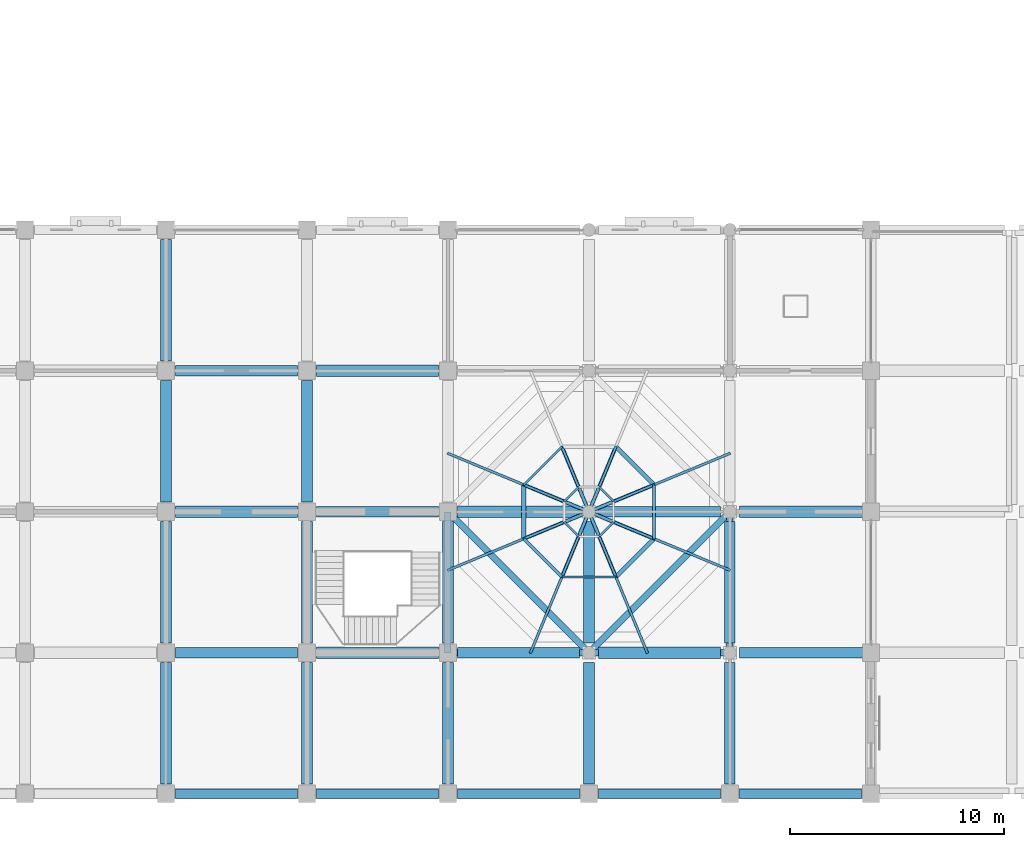
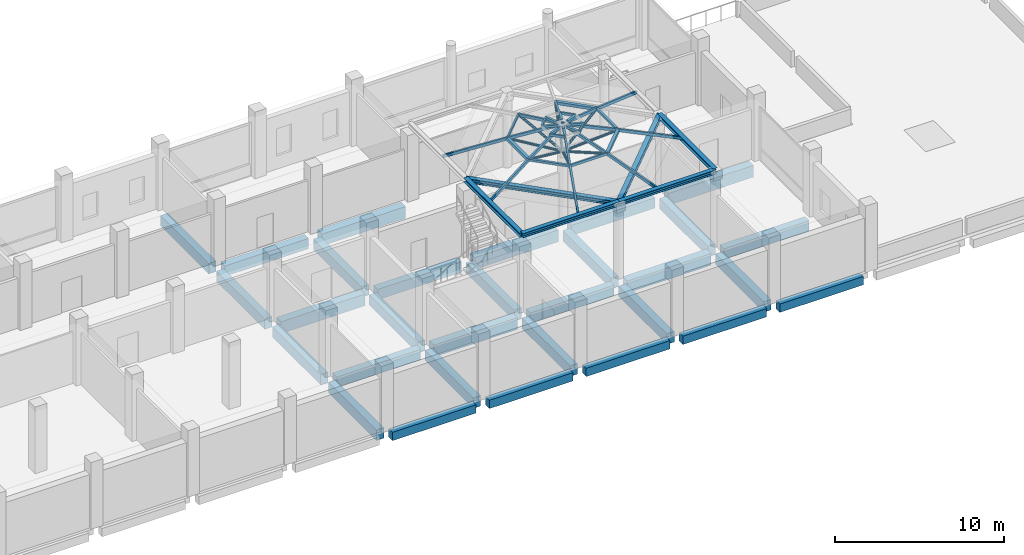
# One storey, part 7 of 34: 41 members, 36 beams.
"""IFC4 building model written with IfcOpenShell, lengths in metres."""

from ifc_helpers import new_model, si_unit, direction, frame, origin, origin_2d, place, context, subcontext, project, spatial, rectangle, hollow_rectangle, hollow_circle, i_section, extrude, material, material_profile, profile_set, type_object, element, save


model = new_model("IFC4")

# Units and contexts
model_context = context("Model", 3, precision=1e-05, world=origin(), true_north=direction((0.0, 1.0)))
body_context = subcontext(model_context, "Body", "Model", "MODEL_VIEW")
ifc_project = project(units=[si_unit("LENGTHUNIT", "METRE"), si_unit("AREAUNIT", "SQUARE_METRE"), si_unit("VOLUMEUNIT", "CUBIC_METRE"), si_unit("PLANEANGLEUNIT", "RADIAN"), si_unit("MASSUNIT", "GRAM", prefix="KILO")], contexts=[model_context])

# Site, building, storey
site_placement = place(None, origin())
site = spatial("IfcSite", under=ifc_project, at=site_placement, CompositionType="ELEMENT")
building_placement = place(site_placement, origin())
building = spatial("IfcBuilding", under=site, at=building_placement, Name="Rusizi Kubbe Research Institute", CompositionType="ELEMENT")
storey_placement = place(building_placement, frame((0.0, 0.0, 5.39990234375)))
storey = spatial("IfcBuildingStorey", under=building, at=storey_placement, Name="L01", CompositionType="ELEMENT", Elevation=5.39990234375)

# Beams
ifc_material_1 = material(Name="Steel S355", Category="steel")
ifc_material_profile_1 = material_profile(ifc_material_1, i_section(OverallWidth=0.300048828125, OverallDepth=0.300048828125, WebThickness=0.010986328125, FlangeThickness=0.01904296875, at=origin_2d()), Name="HEB 300")
ifc_profile_set_1 = profile_set([ifc_material_profile_1], Name="Steel S355")
beam_type_1 = type_object("IfcBeamType", Name="BM-HEB300", PredefinedType="BEAM", material=ifc_profile_set_1)
beam_1_placement = place(storey_placement, frame((79.199951171875, 6.60009765625, 5.300048828125), z_axis=(1.0, 0.0, 0.0), x_axis=(0.0, 1.0, 0.0)))
element("IfcBeam", 1, at=beam_1_placement, inside=storey, type_object=beam_type_1, Name="Kubbe Dome Ring Beam DOME-EPO S1", PredefinedType="BEAM", context=body_context, shape_type="SweptSolid", body=[
    extrude(i_section(OverallWidth=0.300048828125, OverallDepth=0.300048828125, WebThickness=0.010986328125, FlangeThickness=0.01904296875, at=origin_2d()), origin(), (0.0, 0.0, 1.0), 6.60009765625),
])
for number, where, z_axis, x_axis, name in (
    (2, (85.800048828125, 6.60009765625, 5.300048828125), (1.0, 0.0, 0.0), (0.0, 1.0, 0.0), "Kubbe Dome Ring Beam DOME-EPO S2"),
    (3, (92.39990234375, 6.60009765625, 5.300048828125), (0.0, 1.0, 0.0), (-1.0, 0.0, 0.0), "Kubbe Dome Ring Beam DOME-EPO E1"),
    (4, (79.199951171875, 6.60009765625, 5.300048828125), (0.0, 1.0, 0.0), (-1.0, 0.0, 0.0), "Kubbe Dome Ring Beam DOME-EPO W1"),
):
    element("IfcBeam", number, at=place(storey_placement, frame(where, z_axis=z_axis, x_axis=x_axis)), inside=storey, type_object=beam_type_1, Name=name, PredefinedType="BEAM", context=body_context, shape_type="SweptSolid", body=[
        extrude(i_section(OverallWidth=0.300048828125, OverallDepth=0.300048828125, WebThickness=0.010986328125, FlangeThickness=0.01904296875, at=origin_2d()), origin(), (0.0, 0.0, 1.0), 6.599853515625),
    ])
beam_2_placement = place(storey_placement, frame((79.199951171875, 13.199951171875, 5.300048828125), z_axis=(0.707119859409, -0.707093702722, 0.0), x_axis=(0.707093702722, 0.707119859409, 0.0)))
element("IfcBeam", 5, at=beam_2_placement, inside=storey, type_object=beam_type_1, Name="Kubbe Dome Ring Beam DOME-EPO PSW", PredefinedType="BEAM", context=body_context, shape_type="SweptSolid", body=[
    extrude(i_section(OverallWidth=0.300048828125, OverallDepth=0.300048828125, WebThickness=0.010986328125, FlangeThickness=0.01904296875, at=origin_2d()), origin(), (0.0, 0.0, 1.0), 9.333740234375),
])
beam_3_placement = place(storey_placement, frame((85.800048828125, 6.60009765625, 5.300048828125), z_axis=(0.707106781187, 0.707106781187, 0.0), x_axis=(-0.707106781187, 0.707106781187, 0.0)))
element("IfcBeam", 6, at=beam_3_placement, inside=storey, type_object=beam_type_1, Name="Kubbe Dome Ring Beam DOME-EPO PSE", PredefinedType="BEAM", context=body_context, shape_type="SweptSolid", body=[
    extrude(i_section(OverallWidth=0.300048828125, OverallDepth=0.300048828125, WebThickness=0.010986328125, FlangeThickness=0.01904296875, at=origin_2d()), origin(), (0.0, 0.0, 1.0), 9.33349609375),
])
ifc_material_2 = material(Name="Concrete C40/50", Category="concrete")
ifc_material_profile_2 = material_profile(ifc_material_2, rectangle(XDim=0.449951171875, YDim=0.60009765625, at=origin_2d()), Name="RC450x600")
ifc_profile_set_2 = profile_set([ifc_material_profile_2], Name="Concrete C40/50")
beam_type_2 = type_object("IfcBeamType", Name="BM-RC450x600", PredefinedType="SPANDREL", material=ifc_profile_set_2)
for number, where, z_axis, x_axis, name in (
    (7, (66.449951171875, 0.0, -0.64990234375), (1.0, 0.0, 0.0), (0.0, 1.0, 0.0), "Grid Beam H L01 (10,0)"),
    (8, (73.050048828125, 0.0, -0.64990234375), (1.0, 0.0, 0.0), (0.0, 1.0, 0.0), "Grid Beam H L01 (11,0)"),
):
    element("IfcBeam", number, at=place(storey_placement, frame(where, z_axis=z_axis, x_axis=x_axis)), inside=storey, type_object=beam_type_2, Name=name, PredefinedType="SPANDREL", context=body_context, shape_type="SweptSolid", body=[
        extrude(rectangle(XDim=0.449951171875, YDim=0.60009765625, at=origin_2d()), origin(), (0.0, 0.0, 1.0), 5.699951171875),
    ])
beam_4_placement = place(storey_placement, frame((79.64990234375, 0.0, -0.64990234375), z_axis=(1.0, 0.0, 0.0), x_axis=(0.0, 1.0, 0.0)))
element("IfcBeam", 9, at=beam_4_placement, inside=storey, type_object=beam_type_2, Name="Grid Beam H L01 (12,0)", PredefinedType="SPANDREL", context=body_context, shape_type="SweptSolid", body=[
    extrude(rectangle(XDim=0.449951171875, YDim=0.60009765625, at=origin_2d()), origin(), (0.0, 0.0, 1.0), 5.7001953125),
])
for number, where, z_axis, x_axis, name in (
    (10, (86.25, 0.0, -0.64990234375), (1.0, 0.0, 0.0), (0.0, 1.0, 0.0), "Grid Beam H L01 (13,0)"),
    (11, (92.85009765625, 0.0, -0.64990234375), (1.0, 0.0, 0.0), (0.0, 1.0, 0.0), "Grid Beam H L01 (14,0)"),
):
    element("IfcBeam", number, at=place(storey_placement, frame(where, z_axis=z_axis, x_axis=x_axis)), inside=storey, type_object=beam_type_2, Name=name, PredefinedType="SPANDREL", context=body_context, shape_type="SweptSolid", body=[
        extrude(rectangle(XDim=0.449951171875, YDim=0.60009765625, at=origin_2d()), origin(), (0.0, 0.0, 1.0), 5.699951171875),
    ])
ifc_material_3 = material(Name="Concrete C45/55", Category="concrete")
ifc_material_profile_3 = material_profile(ifc_material_3, rectangle(XDim=0.5, YDim=0.75, at=origin_2d()), Name="RC500x750B")
ifc_profile_set_3 = profile_set([ifc_material_profile_3], Name="Concrete C45/55")
beam_type_3 = type_object("IfcBeamType", Name="BM-RC500x750", PredefinedType="BEAM", material=ifc_profile_set_3)
for number, where, z_axis, x_axis, name in (
    (12, (66.449951171875, 6.60009765625, -0.724853515625), (1.0, 0.0, 0.0), (0.0, 1.0, 0.0), "Grid Beam H L01 (10,1)"),
    (13, (66.449951171875, 19.800048828125, -0.724853515625), (1.0, 0.0, 0.0), (0.0, 1.0, 0.0), "Grid Beam H L01 (10,3)"),
    (14, (73.050048828125, 13.199951171875, -0.724853515625), (1.0, 0.0, 0.0), (0.0, 1.0, 0.0), "Grid Beam H L01 (11,2)"),
):
    element("IfcBeam", number, at=place(storey_placement, frame(where, z_axis=z_axis, x_axis=x_axis)), inside=storey, type_object=beam_type_3, Name=name, PredefinedType="BEAM", context=body_context, shape_type="SweptSolid", body=[
        extrude(rectangle(XDim=0.5, YDim=0.75, at=origin_2d()), origin(), (0.0, 0.0, 1.0), 5.699951171875),
    ])
beam_5_placement = place(storey_placement, frame((79.64990234375, 6.60009765625, -0.724853515625), z_axis=(1.0, 0.0, 0.0), x_axis=(0.0, 1.0, 0.0)))
element("IfcBeam", 15, at=beam_5_placement, inside=storey, type_object=beam_type_3, Name="Grid Beam H L01 (12,1)", PredefinedType="BEAM", context=body_context, shape_type="SweptSolid", body=[
    extrude(rectangle(XDim=0.5, YDim=0.75, at=origin_2d()), origin(), (0.0, 0.0, 1.0), 5.7001953125),
])
beam_6_placement = place(storey_placement, frame((86.25, 13.199951171875, -0.724853515625), z_axis=(1.0, 0.0, 0.0), x_axis=(0.0, 1.0, 0.0)))
element("IfcBeam", 16, at=beam_6_placement, inside=storey, type_object=beam_type_3, Name="Grid Beam H L01 (13,2)", PredefinedType="BEAM", context=body_context, shape_type="SweptSolid", body=[
    extrude(rectangle(XDim=0.5, YDim=0.75, at=origin_2d()), origin(), (0.0, 0.0, 1.0), 5.699951171875),
])
beam_7_placement = place(storey_placement, frame((92.85009765625, 6.60009765625, -0.724853515625), z_axis=(1.0, 0.0, 0.0), x_axis=(0.0, 1.0, 0.0)))
element("IfcBeam", 17, at=beam_7_placement, inside=storey, type_object=beam_type_3, Name="Grid Beam H L01 (14,1)", PredefinedType="BEAM", context=body_context, shape_type="SweptSolid", body=[
    extrude(rectangle(XDim=0.5, YDim=0.75, at=origin_2d()), origin(), (0.0, 0.0, 1.0), 5.7998046875),
])
for number, where, z_axis, x_axis, name in (
    (18, (66.0, 0.449951171875, -0.724853515625), (0.0, 1.0, 0.0), (-1.0, 0.0, 0.0), "Grid Beam V L01 (10,0)"),
    (19, (66.0, 7.050048828125, -0.724853515625), (0.0, 1.0, 0.0), (-1.0, 0.0, 0.0), "Grid Beam V L01 (10,1)"),
):
    element("IfcBeam", number, at=place(storey_placement, frame(where, z_axis=z_axis, x_axis=x_axis)), inside=storey, type_object=beam_type_3, Name=name, PredefinedType="BEAM", context=body_context, shape_type="SweptSolid", body=[
        extrude(rectangle(XDim=0.5, YDim=0.75, at=origin_2d()), origin(), (0.0, 0.0, 1.0), 5.699951171875),
    ])
beam_8_placement = place(storey_placement, frame((66.0, 13.64990234375, -0.724853515625), z_axis=(0.0, 1.0, 0.0), x_axis=(-1.0, 0.0, 0.0)))
element("IfcBeam", 20, at=beam_8_placement, inside=storey, type_object=beam_type_3, Name="Grid Beam V L01 (10,2)", PredefinedType="BEAM", context=body_context, shape_type="SweptSolid", body=[
    extrude(rectangle(XDim=0.5, YDim=0.75, at=origin_2d()), origin(), (0.0, 0.0, 1.0), 5.7001953125),
])
for number, where, z_axis, x_axis, name in (
    (21, (66.0, 20.25, -0.724853515625), (0.0, 1.0, 0.0), (-1.0, 0.0, 0.0), "Grid Beam V L01 (10,3)"),
    (22, (72.60009765625, 0.449951171875, -0.724853515625), (0.0, 1.0, 0.0), (-1.0, 0.0, 0.0), "Grid Beam V L01 (11,0)"),
    (23, (72.60009765625, 7.050048828125, -0.724853515625), (0.0, 1.0, 0.0), (-1.0, 0.0, 0.0), "Grid Beam V L01 (11,1)"),
):
    element("IfcBeam", number, at=place(storey_placement, frame(where, z_axis=z_axis, x_axis=x_axis)), inside=storey, type_object=beam_type_3, Name=name, PredefinedType="BEAM", context=body_context, shape_type="SweptSolid", body=[
        extrude(rectangle(XDim=0.5, YDim=0.75, at=origin_2d()), origin(), (0.0, 0.0, 1.0), 5.699951171875),
    ])
beam_9_placement = place(storey_placement, frame((72.60009765625, 13.64990234375, -0.724853515625), z_axis=(0.0, 1.0, 0.0), x_axis=(-1.0, 0.0, 0.0)))
element("IfcBeam", 24, at=beam_9_placement, inside=storey, type_object=beam_type_3, Name="Grid Beam V L01 (11,2)", PredefinedType="BEAM", context=body_context, shape_type="SweptSolid", body=[
    extrude(rectangle(XDim=0.5, YDim=0.75, at=origin_2d()), origin(), (0.0, 0.0, 1.0), 5.7001953125),
])
for number, where, z_axis, x_axis, name in (
    (25, (79.199951171875, 0.449951171875, -0.724853515625), (0.0, 1.0, 0.0), (-1.0, 0.0, 0.0), "Grid Beam V L01 (12,0)"),
    (26, (79.199951171875, 7.050048828125, -0.724853515625), (0.0, 1.0, 0.0), (-1.0, 0.0, 0.0), "Grid Beam V L01 (12,1)"),
    (27, (85.800048828125, 0.449951171875, -0.724853515625), (0.0, 1.0, 0.0), (-1.0, 0.0, 0.0), "Grid Beam V L01 (13,0)"),
    (28, (85.800048828125, 7.050048828125, -0.724853515625), (0.0, 1.0, 0.0), (-1.0, 0.0, 0.0), "Grid Beam V L01 (13,1)"),
    (29, (92.39990234375, 0.449951171875, -0.724853515625), (0.0, 1.0, 0.0), (-1.0, 0.0, 0.0), "Grid Beam V L01 (14,0)"),
    (30, (92.39990234375, 7.050048828125, -0.724853515625), (0.0, 1.0, 0.0), (-1.0, 0.0, 0.0), "Grid Beam V L01 (14,1)"),
):
    element("IfcBeam", number, at=place(storey_placement, frame(where, z_axis=z_axis, x_axis=x_axis)), inside=storey, type_object=beam_type_3, Name=name, PredefinedType="BEAM", context=body_context, shape_type="SweptSolid", body=[
        extrude(rectangle(XDim=0.5, YDim=0.75, at=origin_2d()), origin(), (0.0, 0.0, 1.0), 5.699951171875),
    ])
ifc_material_4 = material(Name="Concrete C45/55", Category="concrete")
ifc_material_profile_4 = material_profile(ifc_material_4, rectangle(XDim=0.550048828125, YDim=0.85009765625, at=origin_2d()), Name="RC550x850")
ifc_profile_set_4 = profile_set([ifc_material_profile_4], Name="Concrete C45/55")
beam_type_4 = type_object("IfcBeamType", Name="BM-RC550x850", PredefinedType="BEAM", material=ifc_profile_set_4)
for number, where, z_axis, x_axis, name in (
    (31, (66.449951171875, 13.199951171875, -0.77490234375), (1.0, 0.0, 0.0), (0.0, 1.0, 0.0), "Grid Beam H L01 (10,2)"),
    (32, (73.050048828125, 6.60009765625, -0.77490234375), (1.0, 0.0, 0.0), (0.0, 1.0, 0.0), "Grid Beam H L01 (11,1)"),
    (33, (73.050048828125, 19.800048828125, -0.77490234375), (1.0, 0.0, 0.0), (0.0, 1.0, 0.0), "Grid Beam H L01 (11,3)"),
):
    element("IfcBeam", number, at=place(storey_placement, frame(where, z_axis=z_axis, x_axis=x_axis)), inside=storey, type_object=beam_type_4, Name=name, PredefinedType="BEAM", context=body_context, shape_type="SweptSolid", body=[
        extrude(rectangle(XDim=0.550048828125, YDim=0.85009765625, at=origin_2d()), origin(), (0.0, 0.0, 1.0), 5.699951171875),
    ])
beam_10_placement = place(storey_placement, frame((79.64990234375, 13.199951171875, -0.77490234375), z_axis=(1.0, 0.0, 0.0), x_axis=(0.0, 1.0, 0.0)))
element("IfcBeam", 34, at=beam_10_placement, inside=storey, type_object=beam_type_4, Name="Grid Beam H L01 (12,2)", PredefinedType="BEAM", context=body_context, shape_type="SweptSolid", body=[
    extrude(rectangle(XDim=0.550048828125, YDim=0.85009765625, at=origin_2d()), origin(), (0.0, 0.0, 1.0), 5.7001953125),
])
beam_11_placement = place(storey_placement, frame((86.25, 6.60009765625, -0.77490234375), z_axis=(1.0, 0.0, 0.0), x_axis=(0.0, 1.0, 0.0)))
element("IfcBeam", 35, at=beam_11_placement, inside=storey, type_object=beam_type_4, Name="Grid Beam H L01 (13,1)", PredefinedType="BEAM", context=body_context, shape_type="SweptSolid", body=[
    extrude(rectangle(XDim=0.550048828125, YDim=0.85009765625, at=origin_2d()), origin(), (0.0, 0.0, 1.0), 5.699951171875),
])
beam_12_placement = place(storey_placement, frame((92.85009765625, 13.199951171875, -0.77490234375), z_axis=(1.0, 0.0, 0.0), x_axis=(0.0, 1.0, 0.0)))
element("IfcBeam", 36, at=beam_12_placement, inside=storey, type_object=beam_type_4, Name="Grid Beam H L01 (14,2)", PredefinedType="BEAM", context=body_context, shape_type="SweptSolid", body=[
    extrude(rectangle(XDim=0.550048828125, YDim=0.85009765625, at=origin_2d()), origin(), (0.0, 0.0, 1.0), 5.7998046875),
])

# Members
ifc_material_5 = material(Name="Steel S355", Category="steel")
ifc_material_profile_5 = material_profile(ifc_material_5, hollow_circle(Radius=0.084228515625, WallThickness=0.00634765625, at=origin_2d()), Name="CHS 168.3x6.3")
ifc_profile_set_5 = profile_set([ifc_material_profile_5], Name="Steel S355")
member_type_1 = type_object("IfcMemberType", Name="MB-CHS168", PredefinedType="STRUT", material=ifc_profile_set_5)
for number, where, z_axis, x_axis, name in (
    (37, (85.800048828125, 13.199951171875, 5.0), (0.864392084097, 0.358063761294, 0.353010860738), (-0.382702441477, 0.92387165845, 0.0), "Kubbe Radial King-Post Strut DOME-EPO-1"),
    (38, (85.800048828125, 13.199951171875, 5.0), (0.358003415627, 0.864413506254, 0.353019609377), (-0.923897814256, 0.382639293348, 0.0), "Kubbe Radial King-Post Strut DOME-EPO-2"),
    (39, (85.800048828125, 13.199951171875, 5.0), (-0.358063761294, 0.864392084097, 0.353010860738), (-0.92387165845, -0.382702441477, 0.0), "Kubbe Radial King-Post Strut DOME-EPO-3"),
    (40, (85.800048828125, 13.199951171875, 5.0), (-0.864392084097, 0.358063761294, 0.353010860738), (-0.382702441477, -0.92387165845, 0.0), "Kubbe Radial King-Post Strut DOME-EPO-4"),
    (41, (85.800048828125, 13.199951171875, 5.0), (-0.864413506254, -0.358003415627, 0.353019609377), (0.382639293348, -0.923897814256, 0.0), "Kubbe Radial King-Post Strut DOME-EPO-5"),
    (42, (85.800048828125, 13.199951171875, 5.0), (-0.358063761294, -0.864392084097, 0.353010860738), (0.92387165845, -0.382702441477, 0.0), "Kubbe Radial King-Post Strut DOME-EPO-6"),
    (43, (85.800048828125, 13.199951171875, 5.0), (0.358003415627, -0.864413506254, 0.353019609377), (0.923897814256, 0.382639293348, 0.0), "Kubbe Radial King-Post Strut DOME-EPO-7"),
    (44, (85.800048828125, 13.199951171875, 5.0), (0.864413506254, -0.358003415627, 0.353019609377), (0.382639293348, 0.923897814256, 0.0), "Kubbe Radial King-Post Strut DOME-EPO-8"),
):
    element("IfcMember", number, at=place(storey_placement, frame(where, z_axis=z_axis, x_axis=x_axis)), inside=storey, type_object=member_type_1, Name=name, PredefinedType="STRUT", context=body_context, shape_type="SweptSolid", body=[
        extrude(hollow_circle(Radius=0.084228515625, WallThickness=0.00634765625, at=origin_2d()), origin(), (0.0, 0.0, 1.0), 3.527099609375),
    ])
ifc_material_6 = material(Name="Steel S355", Category="steel")
ifc_material_profile_6 = material_profile(ifc_material_6, hollow_rectangle(XDim=0.10009765625, YDim=0.179931640625, WallThickness=0.008056640625, at=origin_2d()), Name="RHS 180x100x8.0")
ifc_profile_set_6 = profile_set([ifc_material_profile_6], Name="Steel S355")
member_type_2 = type_object("IfcMemberType", Name="MB-RHS180", PredefinedType="PURLIN", material=ifc_profile_set_6)
member_1_placement = place(storey_placement, frame((86.954833984375, 13.678466796875, 6.900146484375), z_axis=(-0.707234383237, 0.706979156105, 0.0), x_axis=(-0.706979156105, -0.707234383237, 0.0)))
element("IfcMember", 45, at=member_1_placement, inside=storey, type_object=member_type_2, Name="Kubbe Dome Hoop Purlin Top DOME-EPO-1", PredefinedType="PURLIN", context=body_context, shape_type="SweptSolid", body=[
    extrude(hollow_rectangle(XDim=0.10009765625, YDim=0.179931640625, WallThickness=0.008056640625, at=origin_2d()), origin(), (0.0, 0.0, 1.0), 0.95654296875),
])
member_2_placement = place(storey_placement, frame((84.537109375, 16.248779296875, 6.2451171875), z_axis=(-0.707106781187, -0.707106781187, 0.0), x_axis=(0.707106781187, -0.707106781187, 0.0)))
element("IfcMember", 46, at=member_2_placement, inside=storey, type_object=member_type_2, Name="Kubbe Vault Hoop Purlin Mid DOME-EPO-3", PredefinedType="PURLIN", context=body_context, shape_type="SweptSolid", body=[
    extrude(hollow_rectangle(XDim=0.10009765625, YDim=0.179931640625, WallThickness=0.008056640625, at=origin_2d()), origin(), (0.0, 0.0, 1.0), 2.525634765625),
])
member_3_placement = place(storey_placement, frame((85.321533203125, 14.354736328125, 6.900146484375), z_axis=(-0.707106781187, -0.707106781187, 0.0), x_axis=(0.707106781187, -0.707106781187, 0.0)))
element("IfcMember", 47, at=member_3_placement, inside=storey, type_object=member_type_2, Name="Kubbe Dome Hoop Purlin Top DOME-EPO-3", PredefinedType="PURLIN", context=body_context, shape_type="SweptSolid", body=[
    extrude(hollow_rectangle(XDim=0.10009765625, YDim=0.179931640625, WallThickness=0.008056640625, at=origin_2d()), origin(), (0.0, 0.0, 1.0), 0.956298828125),
])
member_4_placement = place(storey_placement, frame((84.645263671875, 12.7216796875, 6.900146484375), z_axis=(0.706979156105, -0.707234383237, 0.0), x_axis=(0.707234383237, 0.706979156105, 0.0)))
element("IfcMember", 48, at=member_4_placement, inside=storey, type_object=member_type_2, Name="Kubbe Dome Hoop Purlin Top DOME-EPO-5", PredefinedType="PURLIN", context=body_context, shape_type="SweptSolid", body=[
    extrude(hollow_rectangle(XDim=0.10009765625, YDim=0.179931640625, WallThickness=0.008056640625, at=origin_2d()), origin(), (0.0, 0.0, 1.0), 0.95654296875),
])
member_5_placement = place(storey_placement, frame((84.537109375, 10.151123046875, 6.2451171875), z_axis=(1.0, 0.0, 0.0), x_axis=(0.0, 1.0, 0.0)))
element("IfcMember", 49, at=member_5_placement, inside=storey, type_object=member_type_2, Name="Kubbe Vault Hoop Purlin Mid DOME-EPO-6", PredefinedType="PURLIN", context=body_context, shape_type="SweptSolid", body=[
    extrude(hollow_rectangle(XDim=0.10009765625, YDim=0.179931640625, WallThickness=0.008056640625, at=origin_2d()), origin(), (0.0, 0.0, 1.0), 2.525634765625),
])
member_6_placement = place(storey_placement, frame((86.2783203125, 12.045166015625, 6.900146484375), z_axis=(0.707106781187, 0.707106781187, 0.0), x_axis=(-0.707106781187, 0.707106781187, 0.0)))
element("IfcMember", 50, at=member_6_placement, inside=storey, type_object=member_type_2, Name="Kubbe Dome Hoop Purlin Top DOME-EPO-7", PredefinedType="PURLIN", context=body_context, shape_type="SweptSolid", body=[
    extrude(hollow_rectangle(XDim=0.10009765625, YDim=0.179931640625, WallThickness=0.008056640625, at=origin_2d()), origin(), (0.0, 0.0, 1.0), 0.956787109375),
])
ifc_material_7 = material(Name="Steel S355", Category="steel")
ifc_material_profile_7 = material_profile(ifc_material_7, hollow_rectangle(XDim=0.1201171875, YDim=0.199951171875, WallThickness=0.008056640625, at=origin_2d()), Name="RHS 200x120x8.0")
ifc_profile_set_7 = profile_set([ifc_material_profile_7], Name="Steel S355")
member_type_3 = type_object("IfcMemberType", Name="MB-RHS200", PredefinedType="RAFTER", material=ifc_profile_set_7)
member_7_placement = place(storey_placement, frame((92.39990234375, 15.933837890625, 5.300048828125), z_axis=(-0.897152152813, -0.3716288567, 0.238767685358), x_axis=(0.382697731059, -0.923873609669, 0.0)))
element("IfcMember", 51, at=member_7_placement, inside=storey, type_object=member_type_3, Name="Kubbe Arch Rib Lower DOME-EPO-1", PredefinedType="RAFTER", context=body_context, shape_type="SweptSolid", body=[
    extrude(hollow_rectangle(XDim=0.1201171875, YDim=0.199951171875, WallThickness=0.008056640625, at=origin_2d()), origin(), (0.0, 0.0, 1.0), 3.9580078125),
])
for number, where, z_axis, x_axis, name in (
    (52, (88.848876953125, 14.462890625, 6.2451171875), (-0.90178365638, -0.373552759005, 0.217358168298), (0.382702441477, -0.92387165845, 0.0), "Kubbe Arch Rib Upper DOME-EPO-1"),
    (53, (87.062744140625, 16.248779296875, 6.2451171875), (-0.37349062106, -0.901807980625, 0.217364031204), (0.923897814256, -0.382639293348, 0.0), "Kubbe Arch Rib Upper DOME-EPO-2"),
    (54, (84.537109375, 16.248779296875, 6.2451171875), (0.373552759005, -0.90178365638, 0.217358168298), (0.92387165845, 0.382702441477, 0.0), "Kubbe Arch Rib Upper DOME-EPO-3"),
):
    element("IfcMember", number, at=place(storey_placement, frame(where, z_axis=z_axis, x_axis=x_axis)), inside=storey, type_object=member_type_3, Name=name, PredefinedType="RAFTER", context=body_context, shape_type="SweptSolid", body=[
        extrude(hollow_rectangle(XDim=0.1201171875, YDim=0.199951171875, WallThickness=0.008056640625, at=origin_2d()), origin(), (0.0, 0.0, 1.0), 3.380859375),
    ])
member_8_placement = place(storey_placement, frame((79.199951171875, 15.933837890625, 5.300048828125), z_axis=(0.897164186915, -0.371608292738, 0.238754473226), x_axis=(0.38267527446, 0.923882911584, 0.0)))
element("IfcMember", 55, at=member_8_placement, inside=storey, type_object=member_type_3, Name="Kubbe Arch Rib Lower DOME-EPO-4", PredefinedType="RAFTER", context=body_context, shape_type="SweptSolid", body=[
    extrude(hollow_rectangle(XDim=0.1201171875, YDim=0.199951171875, WallThickness=0.008056640625, at=origin_2d()), origin(), (0.0, 0.0, 1.0), 3.958251953125),
])
member_9_placement = place(storey_placement, frame((82.751220703125, 14.462890625, 6.2451171875), z_axis=(0.90178365638, -0.373552759005, 0.217358168298), x_axis=(0.382702441477, 0.92387165845, 0.0)))
element("IfcMember", 56, at=member_9_placement, inside=storey, type_object=member_type_3, Name="Kubbe Arch Rib Upper DOME-EPO-4", PredefinedType="RAFTER", context=body_context, shape_type="SweptSolid", body=[
    extrude(hollow_rectangle(XDim=0.1201171875, YDim=0.199951171875, WallThickness=0.008056640625, at=origin_2d()), origin(), (0.0, 0.0, 1.0), 3.380859375),
])
member_10_placement = place(storey_placement, frame((79.199951171875, 10.46630859375, 5.300048828125), z_axis=(0.897164186915, 0.371608292738, 0.238754473226), x_axis=(-0.38267527446, 0.923882911584, 0.0)))
element("IfcMember", 57, at=member_10_placement, inside=storey, type_object=member_type_3, Name="Kubbe Arch Rib Lower DOME-EPO-5", PredefinedType="RAFTER", context=body_context, shape_type="SweptSolid", body=[
    extrude(hollow_rectangle(XDim=0.1201171875, YDim=0.199951171875, WallThickness=0.008056640625, at=origin_2d()), origin(), (0.0, 0.0, 1.0), 3.958251953125),
])
member_11_placement = place(storey_placement, frame((82.751220703125, 11.937255859375, 6.2451171875), z_axis=(0.901807980625, 0.37349062106, 0.217364031204), x_axis=(-0.382639293348, 0.923897814256, 0.0)))
element("IfcMember", 58, at=member_11_placement, inside=storey, type_object=member_type_3, Name="Kubbe Arch Rib Upper DOME-EPO-5", PredefinedType="RAFTER", context=body_context, shape_type="SweptSolid", body=[
    extrude(hollow_rectangle(XDim=0.1201171875, YDim=0.199951171875, WallThickness=0.008056640625, at=origin_2d()), origin(), (0.0, 0.0, 1.0), 3.380859375),
])
member_12_placement = place(storey_placement, frame((83.066162109375, 6.60009765625, 5.300048828125), z_axis=(0.3716288567, 0.897152152813, 0.238767685358), x_axis=(-0.923873609669, 0.382697731059, 0.0)))
element("IfcMember", 59, at=member_12_placement, inside=storey, type_object=member_type_3, Name="Kubbe Arch Rib Lower DOME-EPO-6", PredefinedType="RAFTER", context=body_context, shape_type="SweptSolid", body=[
    extrude(hollow_rectangle(XDim=0.1201171875, YDim=0.199951171875, WallThickness=0.008056640625, at=origin_2d()), origin(), (0.0, 0.0, 1.0), 3.9580078125),
])
member_13_placement = place(storey_placement, frame((84.537109375, 10.151123046875, 6.2451171875), z_axis=(0.373552759005, 0.90178365638, 0.217358168298), x_axis=(-0.92387165845, 0.382702441477, 0.0)))
element("IfcMember", 60, at=member_13_placement, inside=storey, type_object=member_type_3, Name="Kubbe Arch Rib Upper DOME-EPO-6", PredefinedType="RAFTER", context=body_context, shape_type="SweptSolid", body=[
    extrude(hollow_rectangle(XDim=0.1201171875, YDim=0.199951171875, WallThickness=0.008056640625, at=origin_2d()), origin(), (0.0, 0.0, 1.0), 3.380859375),
])
member_14_placement = place(storey_placement, frame((88.53369140625, 6.60009765625, 5.300048828125), z_axis=(-0.3716288567, 0.897152152813, 0.238767685358), x_axis=(-0.923873609669, -0.382697731059, 0.0)))
element("IfcMember", 61, at=member_14_placement, inside=storey, type_object=member_type_3, Name="Kubbe Arch Rib Lower DOME-EPO-7", PredefinedType="RAFTER", context=body_context, shape_type="SweptSolid", body=[
    extrude(hollow_rectangle(XDim=0.1201171875, YDim=0.199951171875, WallThickness=0.008056640625, at=origin_2d()), origin(), (0.0, 0.0, 1.0), 3.9580078125),
])
member_15_placement = place(storey_placement, frame((87.062744140625, 10.151123046875, 6.2451171875), z_axis=(-0.37349062106, 0.901807980625, 0.217364031204), x_axis=(-0.923897814256, -0.382639293348, 0.0)))
element("IfcMember", 62, at=member_15_placement, inside=storey, type_object=member_type_3, Name="Kubbe Arch Rib Upper DOME-EPO-7", PredefinedType="RAFTER", context=body_context, shape_type="SweptSolid", body=[
    extrude(hollow_rectangle(XDim=0.1201171875, YDim=0.199951171875, WallThickness=0.008056640625, at=origin_2d()), origin(), (0.0, 0.0, 1.0), 3.380859375),
])
member_16_placement = place(storey_placement, frame((92.39990234375, 10.46630859375, 5.300048828125), z_axis=(-0.897152152813, 0.3716288567, 0.238767685358), x_axis=(-0.382697731059, -0.923873609669, 0.0)))
element("IfcMember", 63, at=member_16_placement, inside=storey, type_object=member_type_3, Name="Kubbe Arch Rib Lower DOME-EPO-8", PredefinedType="RAFTER", context=body_context, shape_type="SweptSolid", body=[
    extrude(hollow_rectangle(XDim=0.1201171875, YDim=0.199951171875, WallThickness=0.008056640625, at=origin_2d()), origin(), (0.0, 0.0, 1.0), 3.9580078125),
])
member_17_placement = place(storey_placement, frame((88.848876953125, 11.937255859375, 6.2451171875), z_axis=(-0.901807980625, 0.37349062106, 0.217364031204), x_axis=(-0.382639293348, -0.923897814256, 0.0)))
element("IfcMember", 64, at=member_17_placement, inside=storey, type_object=member_type_3, Name="Kubbe Arch Rib Upper DOME-EPO-8", PredefinedType="RAFTER", context=body_context, shape_type="SweptSolid", body=[
    extrude(hollow_rectangle(XDim=0.1201171875, YDim=0.199951171875, WallThickness=0.008056640625, at=origin_2d()), origin(), (0.0, 0.0, 1.0), 3.380859375),
])
ifc_material_8 = material(Name="Steel S355", Category="steel")
ifc_material_profile_8 = material_profile(ifc_material_8, hollow_rectangle(XDim=0.14990234375, YDim=0.14990234375, WallThickness=0.008056640625, at=origin_2d()), Name="SHS 150x150x8.0")
ifc_profile_set_8 = profile_set([ifc_material_profile_8], Name="Steel S355")
member_type_4 = type_object("IfcMemberType", Name="MB-SHS150", PredefinedType="PURLIN", material=ifc_profile_set_8)
for number, where, z_axis, x_axis, name in (
    (65, (85.800048828125, 13.199951171875, 6.900146484375), (0.923826362943, 0.382811769845, 0.0), (-0.382811769845, 0.923826362943, 0.0), "Kubbe Crown Collar DOME-EPO-1"),
    (66, (85.800048828125, 13.199951171875, 6.900146484375), (0.382645061011, 0.923895425513, 0.0), (-0.923895425513, 0.382645061011, 0.0), "Kubbe Crown Collar DOME-EPO-2"),
    (67, (85.800048828125, 13.199951171875, 6.900146484375), (-0.382811769845, 0.923826362943, 0.0), (-0.923826362943, -0.382811769845, 0.0), "Kubbe Crown Collar DOME-EPO-3"),
    (68, (85.800048828125, 13.199951171875, 6.900146484375), (-0.923826362943, 0.382811769845, 0.0), (-0.382811769845, -0.923826362943, 0.0), "Kubbe Crown Collar DOME-EPO-4"),
):
    element("IfcMember", number, at=place(storey_placement, frame(where, z_axis=z_axis, x_axis=x_axis)), inside=storey, type_object=member_type_4, Name=name, PredefinedType="PURLIN", context=body_context, shape_type="SweptSolid", body=[
        extrude(hollow_rectangle(XDim=0.14990234375, YDim=0.14990234375, WallThickness=0.008056640625, at=origin_2d()), origin(), (0.0, 0.0, 1.0), 1.25),
    ])
member_18_placement = place(storey_placement, frame((82.751220703125, 11.937255859375, 6.2451171875), z_axis=(0.707058450181, -0.707155108889, 0.0), x_axis=(0.707155108889, 0.707058450181, 0.0)))
element("IfcMember", 69, at=member_18_placement, inside=storey, type_object=member_type_4, Name="Kubbe Vault Hoop Purlin Mid DOME-EPO-5", PredefinedType="PURLIN", context=body_context, shape_type="SweptSolid", body=[
    extrude(hollow_rectangle(XDim=0.14990234375, YDim=0.14990234375, WallThickness=0.008056640625, at=origin_2d()), origin(), (0.0, 0.0, 1.0), 2.52587890625),
])
for number, where, z_axis, x_axis, name in (
    (70, (85.800048828125, 13.199951171875, 6.900146484375), (-0.923895425513, -0.382645061011, 0.0), (0.382645061011, -0.923895425513, 0.0), "Kubbe Crown Collar DOME-EPO-5"),
    (71, (85.800048828125, 13.199951171875, 6.900146484375), (-0.382811769845, -0.923826362943, 0.0), (0.923826362943, -0.382811769845, 0.0), "Kubbe Crown Collar DOME-EPO-6"),
    (72, (85.800048828125, 13.199951171875, 6.900146484375), (0.382645061011, -0.923895425513, 0.0), (0.923895425513, 0.382645061011, 0.0), "Kubbe Crown Collar DOME-EPO-7"),
):
    element("IfcMember", number, at=place(storey_placement, frame(where, z_axis=z_axis, x_axis=x_axis)), inside=storey, type_object=member_type_4, Name=name, PredefinedType="PURLIN", context=body_context, shape_type="SweptSolid", body=[
        extrude(hollow_rectangle(XDim=0.14990234375, YDim=0.14990234375, WallThickness=0.008056640625, at=origin_2d()), origin(), (0.0, 0.0, 1.0), 1.25),
    ])
member_19_placement = place(storey_placement, frame((88.848876953125, 11.937255859375, 6.2451171875), z_axis=(0.0, 1.0, 0.0), x_axis=(-1.0, 0.0, 0.0)))
element("IfcMember", 73, at=member_19_placement, inside=storey, type_object=member_type_4, Name="Kubbe Vault Hoop Purlin Mid DOME-EPO-8", PredefinedType="PURLIN", context=body_context, shape_type="SweptSolid", body=[
    extrude(hollow_rectangle(XDim=0.14990234375, YDim=0.14990234375, WallThickness=0.008056640625, at=origin_2d()), origin(), (0.0, 0.0, 1.0), 2.525634765625),
])
member_20_placement = place(storey_placement, frame((85.800048828125, 13.199951171875, 6.900146484375), z_axis=(0.923895425513, -0.382645061011, 0.0), x_axis=(0.382645061011, 0.923895425513, 0.0)))
element("IfcMember", 74, at=member_20_placement, inside=storey, type_object=member_type_4, Name="Kubbe Crown Collar DOME-EPO-8", PredefinedType="PURLIN", context=body_context, shape_type="SweptSolid", body=[
    extrude(hollow_rectangle(XDim=0.14990234375, YDim=0.14990234375, WallThickness=0.008056640625, at=origin_2d()), origin(), (0.0, 0.0, 1.0), 1.25),
])
ifc_material_9 = material(Name="Steel S355", Category="steel")
ifc_material_profile_9 = material_profile(ifc_material_9, hollow_rectangle(XDim=0.199951171875, YDim=0.199951171875, WallThickness=0.010009765625, at=origin_2d()), Name="SHS 200x200x10.0")
ifc_profile_set_9 = profile_set([ifc_material_profile_9], Name="Steel S355")
member_type_5 = type_object("IfcMemberType", Name="MB-SHS200", PredefinedType="PURLIN", material=ifc_profile_set_9)
member_21_placement = place(storey_placement, frame((88.848876953125, 14.462890625, 6.2451171875), z_axis=(-0.707155108889, 0.707058450181, 0.0), x_axis=(-0.707058450181, -0.707155108889, 0.0)))
element("IfcMember", 75, at=member_21_placement, inside=storey, type_object=member_type_5, Name="Kubbe Vault Hoop Purlin Mid DOME-EPO-1", PredefinedType="PURLIN", context=body_context, shape_type="SweptSolid", body=[
    extrude(hollow_rectangle(XDim=0.199951171875, YDim=0.199951171875, WallThickness=0.010009765625, at=origin_2d()), origin(), (0.0, 0.0, 1.0), 2.52587890625),
])
member_22_placement = place(storey_placement, frame((82.751220703125, 14.462890625, 6.2451171875), z_axis=(0.0, -1.0, 0.0), x_axis=(1.0, 0.0, 0.0)))
element("IfcMember", 76, at=member_22_placement, inside=storey, type_object=member_type_5, Name="Kubbe Vault Hoop Purlin Mid DOME-EPO-4", PredefinedType="PURLIN", context=body_context, shape_type="SweptSolid", body=[
    extrude(hollow_rectangle(XDim=0.199951171875, YDim=0.199951171875, WallThickness=0.010009765625, at=origin_2d()), origin(), (0.0, 0.0, 1.0), 2.525634765625),
])
member_23_placement = place(storey_placement, frame((87.062744140625, 10.151123046875, 6.2451171875), z_axis=(0.707106781187, 0.707106781187, 0.0), x_axis=(-0.707106781187, 0.707106781187, 0.0)))
element("IfcMember", 77, at=member_23_placement, inside=storey, type_object=member_type_5, Name="Kubbe Vault Hoop Purlin Mid DOME-EPO-7", PredefinedType="PURLIN", context=body_context, shape_type="SweptSolid", body=[
    extrude(hollow_rectangle(XDim=0.199951171875, YDim=0.199951171875, WallThickness=0.010009765625, at=origin_2d()), origin(), (0.0, 0.0, 1.0), 2.52587890625),
])

save(model, "model.ifc")
